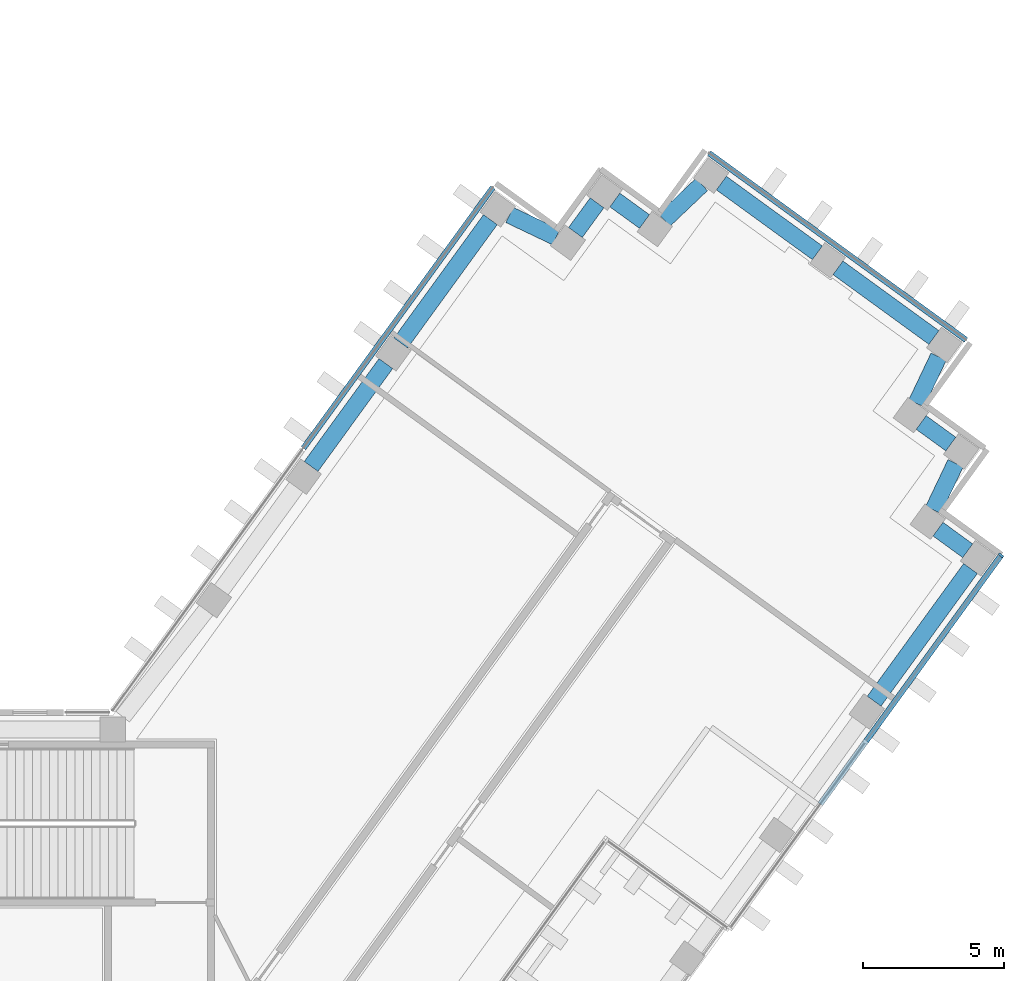
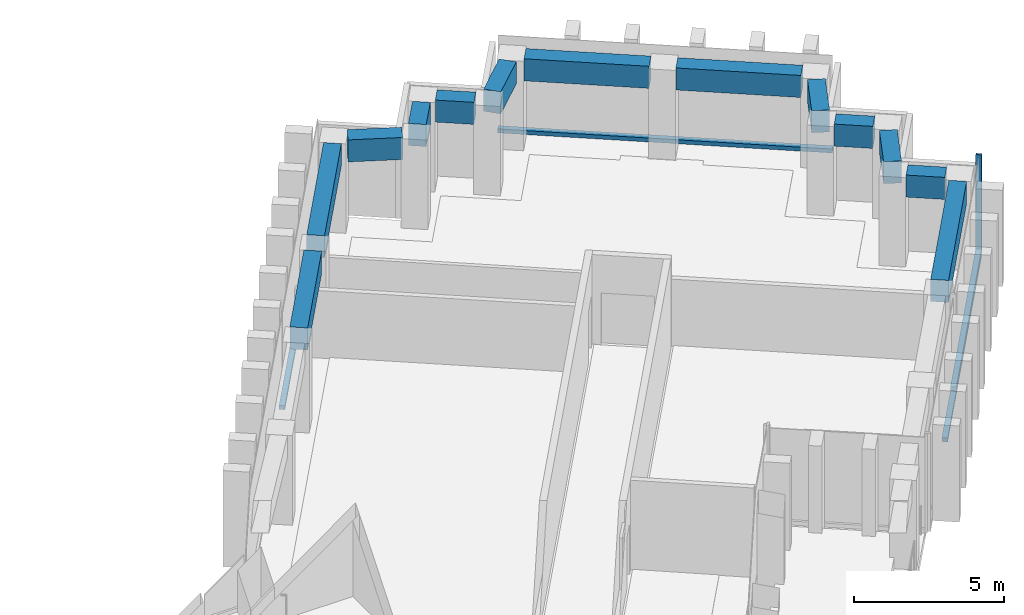
"""IFC4 building model written with IfcOpenShell, lengths in metres."""

from ifc_helpers import new_model, si_unit, direction, frame, origin, origin_2d, place, context, subcontext, project, spatial, rectangle, extrude, material, material_profile, profile_set, type_object, element, aggregate, save


model = new_model("IFC4")

# Units and contexts
model_context = context("Model", 3, precision=1e-05, world=origin(), true_north=direction((0.0, 1.0)))
body_context = subcontext(model_context, "Body", "Model", "MODEL_VIEW")
ifc_project = project(units=[si_unit("LENGTHUNIT", "METRE"), si_unit("AREAUNIT", "SQUARE_METRE"), si_unit("VOLUMEUNIT", "CUBIC_METRE"), si_unit("PLANEANGLEUNIT", "RADIAN"), si_unit("MASSUNIT", "GRAM", prefix="KILO")], contexts=[model_context])

# Site, building, storey
site_placement = place(None, origin())
site = spatial("IfcSite", under=ifc_project, at=site_placement, CompositionType="ELEMENT")
building_placement = place(site_placement, origin())
building = spatial("IfcBuilding", under=site, at=building_placement, Name="Quipu Civic Tower", CompositionType="ELEMENT")
storey_1_placement = place(building_placement, frame((0.0, 0.0, 105.0)))
storey_1 = spatial("IfcBuildingStorey", under=building, at=storey_1_placement, Name="L24", CompositionType="ELEMENT", Elevation=105.0)

# Curtain wall, member
ifc_material_1 = material(Name="Insulated glass unit", Category="glass")
curtain_wall_type = type_object("IfcCurtainWallType", Name="Office curtain wall CW1", PredefinedType="NOTDEFINED", material=ifc_material_1)
curtain_wall_1_placement = place(storey_1_placement, origin())
curtain_wall_1 = element("IfcCurtainWall", 1, at=curtain_wall_1_placement, inside=storey_1, type_object=curtain_wall_type, Name="Office curtain wall CW1 L24 run 7", PredefinedType="NOTDEFINED")
ifc_material_2 = material(Name="Anodised aluminium", Category="aluminium")
ifc_material_profile_1 = material_profile(ifc_material_2, rectangle(XDim=0.199951171875, YDim=0.080078125, at=origin_2d()), Name="RECT 200x80")
ifc_profile_set_1 = profile_set([ifc_material_profile_1], Name="Anodised aluminium")
member_type_1 = type_object("IfcMemberType", Name="Mullion CW1", PredefinedType="MULLION", material=ifc_profile_set_1)
member_1_placement = place(storey_1_placement, frame((45.825927734375, 16.661865234375, 0.080078125), z_axis=(0.0, 0.0, 1.0), x_axis=(-0.80901470235, 0.587788406981, 0.0)))
member_1 = element("IfcMember", 2, at=member_1_placement, type_object=member_type_1, Name="CW1 mullion 3", PredefinedType="MULLION", context=body_context, shape_type="SweptSolid", body=[
    extrude(rectangle(XDim=0.199951171875, YDim=0.080078125, at=origin_2d()), origin(), (0.0, 0.0, 1.0), 4.0),
])

# Beams
ifc_material_3 = material(Name="Concrete C50/60", Category="concrete")
ifc_material_profile_2 = material_profile(ifc_material_3, rectangle(XDim=0.60009765625, YDim=0.89990234375, at=origin_2d()), Name="RC600x900")
ifc_profile_set_2 = profile_set([ifc_material_profile_2], Name="Concrete C50/60")
beam_type = type_object("IfcBeamType", Name="Spandrel beam RC 600x900 C50/60", PredefinedType="SPANDREL", material=ifc_profile_set_2)
beam_1_placement = place(storey_1_placement, frame((41.3349609375, 11.50146484375, 3.199951171875), z_axis=(0.587766353983, 0.809030724463, 0.0), x_axis=(-0.809030724463, 0.587766353983, 0.0)))
element("IfcBeam", 3, at=beam_1_placement, inside=storey_1, type_object=beam_type, Name="Spandrel beam L24 E-OUT-04 to T-Eo.0-E34", PredefinedType="SPANDREL", context=body_context, shape_type="SweptSolid", body=[
    extrude(rectangle(XDim=0.60009765625, YDim=0.89990234375, at=origin_2d()), origin(), (0.0, 0.0, 1.0), 5.802734375),
])
beam_2_placement = place(storey_1_placement, frame((44.646240234375, 16.82470703125, 3.199951171875), z_axis=(-0.808524921146, 0.588461937499, 0.0), x_axis=(-0.588461937499, -0.808524921146, 0.0)))
element("IfcBeam", 4, at=beam_2_placement, inside=storey_1, type_object=beam_type, Name="Spandrel beam L24 T-Eo.0-E34 to T-Eo.1-E34", PredefinedType="SPANDREL", context=body_context, shape_type="SweptSolid", body=[
    extrude(rectangle(XDim=0.60009765625, YDim=0.89990234375, at=origin_2d()), origin(), (0.0, 0.0, 1.0), 1.30029296875),
])
beam_3_placement = place(storey_1_placement, frame((43.42822265625, 18.267578125, 3.199951171875), z_axis=(0.430677818234, 0.902505743406, 0.0), x_axis=(-0.902505743406, 0.430677818234, 0.0)))
element("IfcBeam", 5, at=beam_3_placement, inside=storey_1, type_object=beam_type, Name="Spandrel beam L24 T-Eo.1-E34 to T-Eo.2-E34", PredefinedType="SPANDREL", context=body_context, shape_type="SweptSolid", body=[
    extrude(rectangle(XDim=0.60009765625, YDim=0.89990234375, at=origin_2d()), origin(), (0.0, 0.0, 1.0), 1.833251953125),
])
beam_4_placement = place(storey_1_placement, frame((44.05078125, 20.59912109375, 3.199951171875), z_axis=(-0.809393823939, 0.587266240959, 0.0), x_axis=(-0.587266240959, -0.809393823939, 0.0)))
element("IfcBeam", 6, at=beam_4_placement, inside=storey_1, type_object=beam_type, Name="Spandrel beam L24 T-Eo.2-E34 to T-Eo.3-E34", PredefinedType="SPANDREL", context=body_context, shape_type="SweptSolid", body=[
    extrude(rectangle(XDim=0.60009765625, YDim=0.89990234375, at=origin_2d()), origin(), (0.0, 0.0, 1.0), 1.299072265625),
])
beam_5_placement = place(storey_1_placement, frame((42.83154296875, 22.03955078125, 3.199951171875), z_axis=(0.429892146977, 0.902880247856, 0.0), x_axis=(-0.902880247856, 0.429892146977, 0.0)))
element("IfcBeam", 7, at=beam_5_placement, inside=storey_1, type_object=beam_type, Name="Spandrel beam L24 T-Eo.3-E34 to T-Eo.4-E34", PredefinedType="SPANDREL", context=body_context, shape_type="SweptSolid", body=[
    extrude(rectangle(XDim=0.60009765625, YDim=0.89990234375, at=origin_2d()), origin(), (0.0, 0.0, 1.0), 1.829833984375),
])
beam_6_placement = place(storey_1_placement, frame((43.450927734375, 24.36962890625, 3.199951171875), z_axis=(-0.808987489375, 0.587825860298, 0.0), x_axis=(-0.587825860298, -0.808987489375, 0.0)))
element("IfcBeam", 8, at=beam_6_placement, inside=storey_1, type_object=beam_type, Name="Spandrel beam L24 T-Eo.4-E34 to TIP-E-01-E34", PredefinedType="SPANDREL", context=body_context, shape_type="SweptSolid", body=[
    extrude(rectangle(XDim=0.60009765625, YDim=0.89990234375, at=origin_2d()), origin(), (0.0, 0.0, 1.0), 4.1982421875),
])
beam_7_placement = place(storey_1_placement, frame((39.32666015625, 27.366455078125, 3.199951171875), z_axis=(-0.808969789945, 0.58785021813, 0.0), x_axis=(-0.58785021813, -0.808969789945, 0.0)))
element("IfcBeam", 9, at=beam_7_placement, inside=storey_1, type_object=beam_type, Name="Spandrel beam L24 TIP-E-01-E34 to T-Ei.0-E34", PredefinedType="SPANDREL", context=body_context, shape_type="SweptSolid", body=[
    extrude(rectangle(XDim=0.60009765625, YDim=0.89990234375, at=origin_2d()), origin(), (0.0, 0.0, 1.0), 4.199951171875),
])
beam_8_placement = place(storey_1_placement, frame((35.233154296875, 29.784912109375, 3.199951171875), z_axis=(-0.725209203815, -0.688528583795, 0.0), x_axis=(0.688528583795, -0.725209203815, 0.0)))
element("IfcBeam", 10, at=beam_8_placement, inside=storey_1, type_object=beam_type, Name="Spandrel beam L24 T-Ei.0-E34 to T-Ei.1-E34", PredefinedType="SPANDREL", context=body_context, shape_type="SweptSolid", body=[
    extrude(rectangle(XDim=0.60009765625, YDim=0.89990234375, at=origin_2d()), origin(), (0.0, 0.0, 1.0), 1.830322265625),
])
beam_9_placement = place(storey_1_placement, frame((33.209716796875, 28.4736328125, 3.199951171875), z_axis=(-0.809402563526, 0.587254195521, 0.0), x_axis=(-0.587254195521, -0.809402563526, 0.0)))
element("IfcBeam", 11, at=beam_9_placement, inside=storey_1, type_object=beam_type, Name="Spandrel beam L24 T-Ei.1-E34 to T-Ei.2-E34", PredefinedType="SPANDREL", context=body_context, shape_type="SweptSolid", body=[
    extrude(rectangle(XDim=0.60009765625, YDim=0.89990234375, at=origin_2d()), origin(), (0.0, 0.0, 1.0), 1.2978515625),
])
beam_10_placement = place(storey_1_placement, frame((31.52978515625, 29.136474609375, 3.199951171875), z_axis=(-0.589187485143, -0.80799635355, 0.0), x_axis=(0.80799635355, -0.589187485143, 0.0)))
element("IfcBeam", 12, at=beam_10_placement, inside=storey_1, type_object=beam_type, Name="Spandrel beam L24 T-Ei.2-E34 to T-Ei.3-E34", PredefinedType="SPANDREL", context=body_context, shape_type="SweptSolid", body=[
    extrude(rectangle(XDim=0.60009765625, YDim=0.89990234375, at=origin_2d()), origin(), (0.0, 0.0, 1.0), 1.2998046875),
])
beam_11_placement = place(storey_1_placement, frame((30.085693359375, 27.919677734375, 3.199951171875), z_axis=(-0.902567013751, 0.430549399823, 0.0), x_axis=(-0.430549399823, -0.902567013751, 0.0)))
element("IfcBeam", 13, at=beam_11_placement, inside=storey_1, type_object=beam_type, Name="Spandrel beam L24 T-Ei.3-E34 to T-Ei.4-E34", PredefinedType="SPANDREL", context=body_context, shape_type="SweptSolid", body=[
    extrude(rectangle(XDim=0.60009765625, YDim=0.89990234375, at=origin_2d()), origin(), (0.0, 0.0, 1.0), 1.8310546875),
])
beam_12_placement = place(storey_1_placement, frame((27.755615234375, 28.541015625, 3.199951171875), z_axis=(-0.58767640123, -0.809096068114, 0.0), x_axis=(0.809096068114, -0.58767640123, 0.0)))
element("IfcBeam", 14, at=beam_12_placement, inside=storey_1, type_object=beam_type, Name="Spandrel beam L24 T-Ei.4-E34 to E-IN-03", PredefinedType="SPANDREL", context=body_context, shape_type="SweptSolid", body=[
    extrude(rectangle(XDim=0.60009765625, YDim=0.89990234375, at=origin_2d()), origin(), (0.0, 0.0, 1.0), 5.39404296875),
])
beam_13_placement = place(storey_1_placement, frame((24.056884765625, 23.448486328125, 3.199951171875), z_axis=(-0.587778073121, -0.809022210299, 0.0), x_axis=(0.809022210299, -0.587778073121, 0.0)))
element("IfcBeam", 15, at=beam_13_placement, inside=storey_1, type_object=beam_type, Name="Spandrel beam L24 E-IN-03 to E-IN-02", PredefinedType="SPANDREL", context=body_context, shape_type="SweptSolid", body=[
    extrude(rectangle(XDim=0.60009765625, YDim=0.89990234375, at=origin_2d()), origin(), (0.0, 0.0, 1.0), 4.5),
])

# Storey
storey_2_placement = place(building_placement, frame((0.0, 0.0, 101.0)))
storey_2 = spatial("IfcBuildingStorey", under=building, at=storey_2_placement, Name="L23", CompositionType="ELEMENT", Elevation=101.0)

# Curtain wall, member
curtain_wall_2_placement = place(storey_2_placement, origin())
curtain_wall_2 = element("IfcCurtainWall", 16, at=curtain_wall_2_placement, inside=storey_2, type_object=curtain_wall_type, Name="Office curtain wall CW1 L23 run 7", PredefinedType="NOTDEFINED")
ifc_material_4 = material(Name="Anodised aluminium", Category="aluminium")
ifc_material_profile_3 = material_profile(ifc_material_4, rectangle(XDim=0.199951171875, YDim=0.159912109375, at=origin_2d()), Name="RECT 200x160")
ifc_profile_set_3 = profile_set([ifc_material_profile_3], Name="Anodised aluminium")
member_type_2 = type_object("IfcMemberType", Name="Transom CW1", PredefinedType="USERDEFINED", material=ifc_profile_set_3)
member_2_placement = place(storey_1_placement, frame((39.430908203125, 7.85986328125, 0.0), z_axis=(0.587783274816, 0.809018431092, 0.0), x_axis=(-0.809018431092, 0.587783274816, 0.0)))
member_2 = element("IfcMember", 17, at=member_2_placement, inside=storey_1, type_object=member_type_2, Name="CW1 transom 1.2", ObjectType="TRANSOM", PredefinedType="USERDEFINED", context=body_context, shape_type="SweptSolid", body=[
    extrude(rectangle(XDim=0.199951171875, YDim=0.159912109375, at=origin_2d()), origin(), (0.0, 0.0, 1.0), 10.840087890625),
])
aggregate(curtain_wall_2, [member_2])

curtain_wall_3_placement = place(storey_2_placement, origin())
curtain_wall_3 = element("IfcCurtainWall", 18, at=curtain_wall_3_placement, inside=storey_2, type_object=curtain_wall_type, Name="Office curtain wall CW1 L22 run 31", PredefinedType="NOTDEFINED")
member_3_placement = place(storey_1_placement, frame((44.590087890625, 24.2841796875, 0.080078125), z_axis=(-0.809014959561, 0.587788052963, 0.0), x_axis=(-0.587788052963, -0.809014959561, 0.0)))
member_3 = element("IfcMember", 19, at=member_3_placement, inside=storey_1, type_object=member_type_2, Name="CW1 transom 1.3", ObjectType="TRANSOM", PredefinedType="USERDEFINED", context=body_context, shape_type="SweptSolid", body=[
    extrude(rectangle(XDim=0.199951171875, YDim=0.159912109375, at=origin_2d()), origin(), (0.0, 0.0, 1.0), 11.239990234375),
])
aggregate(curtain_wall_3, [member_3])

curtain_wall_4_placement = place(storey_2_placement, origin())
curtain_wall_4 = element("IfcCurtainWall", 20, at=curtain_wall_4_placement, inside=storey_2, type_object=curtain_wall_type, Name="Office curtain wall CW1 L22 run 36", PredefinedType="NOTDEFINED")
member_4_placement = place(storey_1_placement, frame((27.84228515625, 29.678466796875, 0.080078125), z_axis=(-0.587775682251, -0.809023947331, 0.0), x_axis=(0.809023947331, -0.587775682251, 0.0)))
member_4 = element("IfcMember", 21, at=member_4_placement, inside=storey_1, type_object=member_type_2, Name="CW1 transom 1.3", ObjectType="TRANSOM", PredefinedType="USERDEFINED", context=body_context, shape_type="SweptSolid", body=[
    extrude(rectangle(XDim=0.199951171875, YDim=0.159912109375, at=origin_2d()), origin(), (0.0, 0.0, 1.0), 11.402099609375),
])
aggregate(curtain_wall_4, [member_4])

# Member
member_5_placement = place(storey_1_placement, frame((41.05322265625, 10.0927734375, 0.159912109375), z_axis=(0.587781767955, 0.809019525883, 0.0), x_axis=(-0.809019525883, 0.587781767955, 0.0)))
member_5 = element("IfcMember", 22, at=member_5_placement, type_object=member_type_2, Name="CW1 transom 2.1", ObjectType="TRANSOM", PredefinedType="USERDEFINED", context=body_context, shape_type="SweptSolid", body=[
    extrude(rectangle(XDim=0.199951171875, YDim=0.159912109375, at=origin_2d()), origin(), (0.0, 0.0, 1.0), 8.080078125),
])

aggregate(curtain_wall_1, [member_1, member_5])

save(model, "model.ifc")
